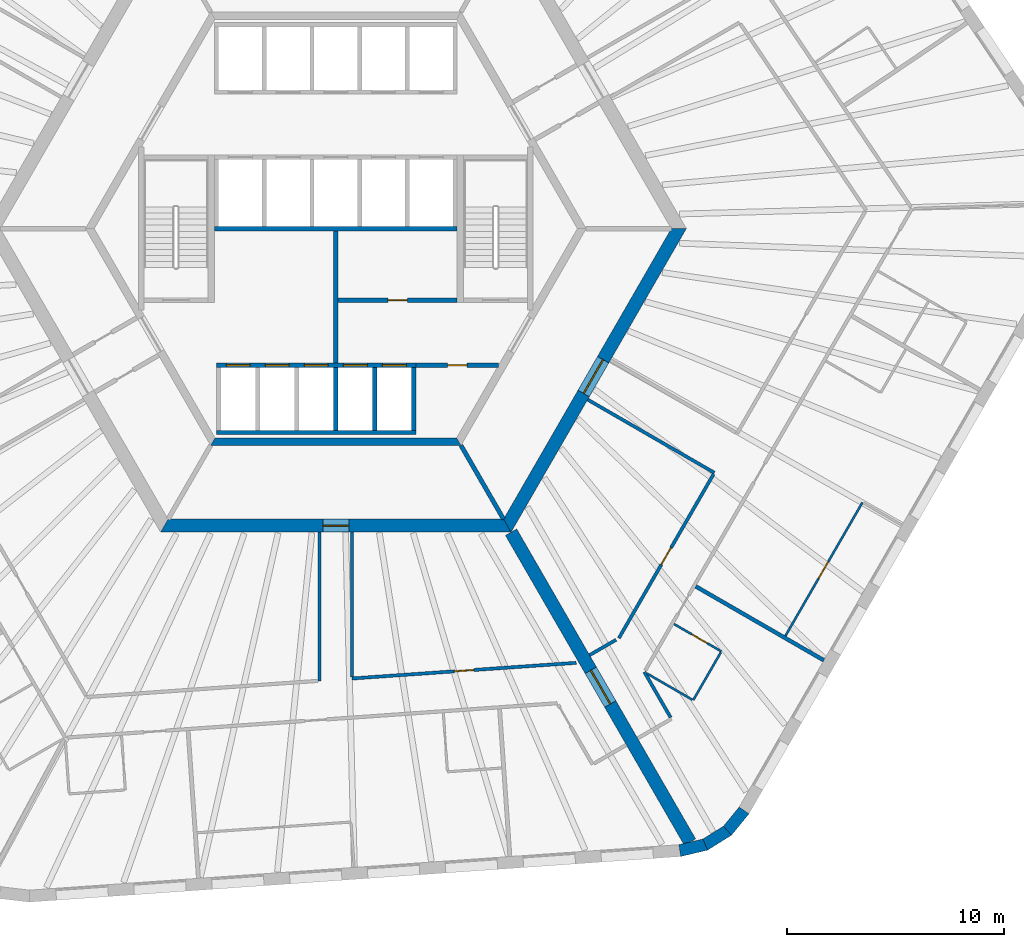
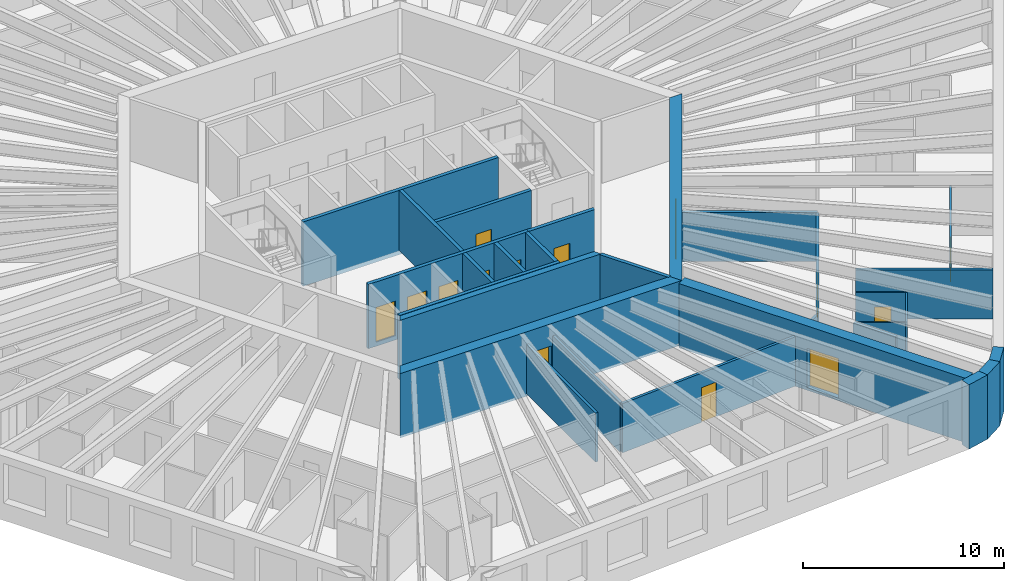
# One storey, part 5 of 12: 29 walls, 14 doors, 14 openings.
"""IFC4 building model written with IfcOpenShell, lengths in metres."""

from ifc_helpers import new_model, si_unit, direction, frame, frame_2d, origin, place, context, subcontext, project, spatial, polyline, rectangle, outline, extrude, material, layer, layer_set, type_object, element, fill, save


model = new_model("IFC4")

# Units and contexts
model_context = context("Model", 3, precision=1e-05, world=origin(), true_north=direction((0.0, 1.0)))
body_context = subcontext(model_context, "Body", "Model", "MODEL_VIEW")
ifc_project = project(units=[si_unit("LENGTHUNIT", "METRE"), si_unit("AREAUNIT", "SQUARE_METRE"), si_unit("VOLUMEUNIT", "CUBIC_METRE"), si_unit("PLANEANGLEUNIT", "RADIAN"), si_unit("MASSUNIT", "GRAM", prefix="KILO")], contexts=[model_context])

# Site, building, storey
site_placement = place(None, origin())
site = spatial("IfcSite", under=ifc_project, at=site_placement, CompositionType="ELEMENT")
building_placement = place(site_placement, origin())
building = spatial("IfcBuilding", under=site, at=building_placement, Name="Tarnside Tower", CompositionType="ELEMENT")
storey_placement = place(building_placement, frame((0.0, 0.0, 53.10009765625)))
storey = spatial("IfcBuildingStorey", under=building, at=storey_placement, Name="L10", CompositionType="ELEMENT", Elevation=53.10009765625)

# Wall, opening, door
ifc_material_1 = material(Name="Gypsum board partition on steel studs", Category="steel")
ifc_layer_1 = layer(ifc_material_1, 0.10009765625)
ifc_layer_set_1 = layer_set([ifc_layer_1], Name="Bathroom wall 100")
wall_type_1 = type_object("IfcWallType", Name="Bathroom wall 100", PredefinedType="PARTITIONING", material=ifc_layer_set_1)
wall_1_placement = place(storey_placement, frame((15.5966796875, -18.23583984375, 0.0), z_axis=(0.0, 0.0, 1.0), x_axis=(0.866039067339, -0.499976333282, 0.0)))
wall_1 = element("IfcWall", 1, at=wall_1_placement, inside=storey, type_object=wall_type_1, Name="Bathroom wall 02128", PredefinedType="PARTITIONING", context=body_context, shape_type="SweptSolid", body=[
    extrude(rectangle(XDim=2.52490234375, YDim=0.10009765625, at=frame_2d((1.262451171875, 0.0))), origin(), (0.0, 0.0, 1.0), 2.98779296875),
])
opening_1_placement = place(wall_1_placement, frame((0.955078125, 0.0, 0.0)))
opening_1 = element("IfcOpeningElement", 2, at=opening_1_placement, cuts=wall_1, Name="Opening D-B1", PredefinedType="OPENING", context=body_context, shape_type="SweptSolid", body=[
    extrude(rectangle(XDim=0.800048828125, YDim=2.10009765625, at=frame_2d((0.39990234375, 1.050048828125))), frame((0.0, 0.06005859375, 0.0), z_axis=(0.0, -1.0, 0.0), x_axis=(1.0, 0.0, 0.0)), (0.0, 0.0, 1.0), 0.1201171875),
])
ifc_material_2 = material(Name="Timber door leaf", Category="wood")
door_type_1 = type_object("IfcDoorType", Name="Bathroom door 800", OperationType="NOTDEFINED", PredefinedType="DOOR", material=ifc_material_2)
door_1_placement = place(opening_1_placement, origin())
door_1 = element("IfcDoor", 3, at=door_1_placement, inside=storey, type_object=door_type_1, Name="Bathroom door 02029", OperationType="SINGLE_SWING_LEFT", OverallHeight=2.10009765625, OverallWidth=0.800048828125, PredefinedType="DOOR", context=body_context, shape_type="SweptSolid", body=[
    extrude(rectangle(XDim=0.800048828125, YDim=2.10009765625, at=frame_2d((0.39990234375, 1.050048828125))), frame((0.0, 0.02490234375, 0.0), z_axis=(0.0, -1.0, 0.0), x_axis=(1.0, 0.0, 0.0)), (0.0, 0.0, 1.0), 0.050048828125),
])
fill(opening_1, door_1)

# Walls
wall_2_placement = place(storey_placement, frame((17.75830078125, -19.541748046875, 0.0), z_axis=(0.0, 0.0, 1.0), x_axis=(-0.499990435942, -0.866030925526, 0.0)))
element("IfcWall", 4, at=wall_2_placement, inside=storey, type_object=wall_type_1, Name="Bathroom wall 02129", PredefinedType="PARTITIONING", context=body_context, shape_type="SweptSolid", body=[
    extrude(rectangle(XDim=2.5498046875, YDim=0.10009765625, at=frame_2d((1.27490234375, 0.0))), origin(), (0.0, 0.0, 1.0), 2.98779296875),
])
wall_3_placement = place(storey_placement, frame((16.43994140625, -21.72509765625, 0.0), z_axis=(0.0, 0.0, 1.0), x_axis=(-0.865980596518, 0.500077600433, 0.0)))
element("IfcWall", 5, at=wall_3_placement, inside=storey, type_object=wall_type_1, Name="Bathroom wall 02130", PredefinedType="PARTITIONING", context=body_context, shape_type="SweptSolid", body=[
    extrude(rectangle(XDim=2.39990234375, YDim=0.10009765625, at=frame_2d((1.199951171875, 0.0))), origin(), (0.0, 0.0, 1.0), 2.98779296875),
])
ifc_material_3 = material(Name="Concrete C50/60", Category="concrete")
ifc_layer_2 = layer(ifc_material_3, 0.35009765625)
ifc_layer_set_2 = layer_set([ifc_layer_2], Name="Core block wall 350 C50/60")
wall_type_2 = type_object("IfcWallType", Name="Core block wall 350 C50/60", PredefinedType="SHEAR", material=ifc_layer_set_2)
wall_4_placement = place(storey_placement, frame((-5.672607421875, -9.824951171875, -0.150146484375), z_axis=(0.0, 0.0, 1.0), x_axis=(1.0, 0.0, 0.0)))
element("IfcWall", 6, at=wall_4_placement, inside=storey, type_object=wall_type_2, Name="L10 core block wall face 4", PredefinedType="SHEAR", context=body_context, shape_type="SweptSolid", body=[
    extrude(outline(polyline([(-0.10107421875, -0.175048828125), (11.4462890625, -0.175048828125), (11.244140625, 0.175048828125), (0.10107421875, 0.175048828125), (-0.10107421875, -0.175048828125)])), origin(), (0.0, 0.0, 1.0), 3.900146484375),
])

# Wall, opening, door
ifc_material_4 = material(Name="Concrete C40/50", Category="concrete")
ifc_layer_3 = layer(ifc_material_4, 0.199951171875)
ifc_layer_set_3 = layer_set([ifc_layer_3], Name="Core room partition 200 C40/50")
wall_type_3 = type_object("IfcWallType", Name="Core room partition 200 C40/50", PredefinedType="PARTITIONING", material=ifc_layer_set_3)
wall_5_placement = place(storey_placement, frame((0.10009765625, -3.300048828125, 0.0), z_axis=(0.0, 0.0, 1.0), x_axis=(1.0, 0.0, 0.0)))
wall_5 = element("IfcWall", 7, at=wall_5_placement, inside=storey, type_object=wall_type_3, Name="L10 core partition R3S1", PredefinedType="PARTITIONING", context=body_context, shape_type="SweptSolid", body=[
    extrude(rectangle(XDim=5.5, YDim=0.199951171875, at=frame_2d((2.75, 0.0))), origin(), (0.0, 0.0, 1.0), 3.64990234375),
])
opening_2_placement = place(wall_5_placement, frame((2.300048828125, 0.0, 0.0)))
opening_2 = element("IfcOpeningElement", 8, at=opening_2_placement, cuts=wall_5, Name="Opening CD-room", PredefinedType="OPENING", context=body_context, shape_type="SweptSolid", body=[
    extrude(rectangle(XDim=0.89990234375, YDim=2.10009765625, at=frame_2d((0.449951171875, 1.050048828125))), frame((0.0, 0.10986328125, 0.0), z_axis=(0.0, -1.0, 0.0), x_axis=(1.0, 0.0, 0.0)), (0.0, 0.0, 1.0), 0.219970703125),
])
ifc_material_5 = material(Name="Steel fire door", Category="steel")
door_type_2 = type_object("IfcDoorType", Name="Room door FD60 900x2100", OperationType="NOTDEFINED", PredefinedType="DOOR", material=ifc_material_5)
door_2_placement = place(opening_2_placement, origin())
door_2 = element("IfcDoor", 9, at=door_2_placement, inside=storey, type_object=door_type_2, Name="L10 core room door SR1", OperationType="SINGLE_SWING_LEFT", OverallHeight=2.10009765625, OverallWidth=0.89990234375, PredefinedType="DOOR", context=body_context, shape_type="SweptSolid", body=[
    extrude(rectangle(XDim=0.89990234375, YDim=2.10009765625, at=frame_2d((0.449951171875, 1.050048828125))), frame((0.0, 0.02490234375, 0.0), z_axis=(0.0, -1.0, 0.0), x_axis=(1.0, 0.0, 0.0)), (0.0, 0.0, 1.0), 0.050048828125),
])
fill(opening_2, door_2)

# Wall
wall_6_placement = place(storey_placement, frame((0.0, -6.199951171875, 0.0), z_axis=(0.0, 0.0, 1.0), x_axis=(0.0, 1.0, 0.0)))
element("IfcWall", 10, at=wall_6_placement, inside=storey, type_object=wall_type_3, Name="L10 core partition X0", PredefinedType="PARTITIONING", context=body_context, shape_type="SweptSolid", body=[
    extrude(rectangle(XDim=6.099853515625, YDim=0.199951171875, at=frame_2d((3.0498046875, 0.0))), origin(), (0.0, 0.0, 1.0), 3.64990234375),
])

# Wall, opening, door
wall_7_placement = place(storey_placement, frame((3.699951171875, -6.300048828125, 0.0), z_axis=(0.0, 0.0, 1.0), x_axis=(1.0, 0.0, 0.0)))
wall_7 = element("IfcWall", 11, at=wall_7_placement, inside=storey, type_object=wall_type_3, Name="L10 core partition R4X", PredefinedType="PARTITIONING", context=body_context, shape_type="SweptSolid", body=[
    extrude(rectangle(XDim=3.8056640625, YDim=0.199951171875, at=frame_2d((1.90283203125, 0.0))), origin(), (0.0, 0.0, 1.0), 3.64990234375),
])
opening_3_placement = place(wall_7_placement, frame((1.452880859375, 0.0, 0.0)))
opening_3 = element("IfcOpeningElement", 12, at=opening_3_placement, cuts=wall_7, Name="Opening CD-room", PredefinedType="OPENING", context=body_context, shape_type="SweptSolid", body=[
    extrude(rectangle(XDim=0.89990234375, YDim=2.10009765625, at=frame_2d((0.449951171875, 1.050048828125))), frame((0.0, 0.10986328125, 0.0), z_axis=(0.0, -1.0, 0.0), x_axis=(1.0, 0.0, 0.0)), (0.0, 0.0, 1.0), 0.219970703125),
])
door_3_placement = place(opening_3_placement, origin())
door_3 = element("IfcDoor", 13, at=door_3_placement, inside=storey, type_object=door_type_2, Name="L10 core room door RX", OperationType="SINGLE_SWING_LEFT", OverallHeight=2.10009765625, OverallWidth=0.89990234375, PredefinedType="DOOR", context=body_context, shape_type="SweptSolid", body=[
    extrude(rectangle(XDim=0.89990234375, YDim=2.10009765625, at=frame_2d((0.449951171875, 1.050048828125))), frame((0.0, 0.02490234375, 0.0), z_axis=(0.0, -1.0, 0.0), x_axis=(1.0, 0.0, 0.0)), (0.0, 0.0, 1.0), 0.050048828125),
])
fill(opening_3, door_3)

ifc_material_6 = material(Name="Concrete C80/95", Category="concrete")
ifc_layer_4 = layer(ifc_material_6, 0.60009765625)
ifc_layer_set_4 = layer_set([ifc_layer_4], Name="Core wall Z1 600 C80/95")
wall_type_4 = type_object("IfcWallType", Name="Core wall Z1 600 C80/95", PredefinedType="SHEAR", material=ifc_layer_set_4)
wall_8_placement = place(storey_placement, frame((-7.90966796875, -13.699951171875, -0.150146484375), z_axis=(0.0, 0.0, 1.0), x_axis=(1.0, 0.0, 0.0)))
wall_8 = element("IfcWall", 14, at=wall_8_placement, inside=storey, type_object=wall_type_4, Name="L10 core wall face 4", PredefinedType="SHEAR", context=body_context, shape_type="SweptSolid", body=[
    extrude(outline(polyline([(-0.17333984375, -0.300048828125), (15.99267578125, -0.300048828125), (15.64599609375, 0.300048828125), (0.17333984375, 0.300048828125), (-0.17333984375, -0.300048828125)])), origin(), (0.0, 0.0, 1.0), 3.900146484375),
])
opening_4_placement = place(wall_8_placement, frame((7.309814453125, 0.0, 0.14990234375)))
opening_4 = element("IfcOpeningElement", 15, at=opening_4_placement, cuts=wall_8, Name="Opening CD-RSR", PredefinedType="OPENING", context=body_context, shape_type="SweptSolid", body=[
    extrude(rectangle(XDim=1.199951171875, YDim=2.39990234375, at=frame_2d((0.60009765625, 1.199951171875))), frame((0.0, 0.31005859375, 0.0), z_axis=(0.0, -1.0, 0.0), x_axis=(1.0, 0.0, 0.0)), (0.0, 0.0, 1.0), 0.6201171875),
])
door_type_3 = type_object("IfcDoorType", Name="Riser door FD60 1200x2400", OperationType="NOTDEFINED", PredefinedType="DOOR", material=ifc_material_5)
door_4_placement = place(opening_4_placement, origin())
door_4 = element("IfcDoor", 16, at=door_4_placement, inside=storey, type_object=door_type_3, Name="L10 core door S6", OperationType="SINGLE_SWING_LEFT", OverallHeight=2.39990234375, OverallWidth=1.199951171875, PredefinedType="DOOR", context=body_context, shape_type="SweptSolid", body=[
    extrude(rectangle(XDim=1.199951171875, YDim=2.39990234375, at=frame_2d((0.60009765625, 1.199951171875))), frame((0.0, 0.02490234375, 0.0), z_axis=(0.0, -1.0, 0.0), x_axis=(1.0, 0.0, 0.0)), (0.0, 0.0, 1.0), 0.050048828125),
])
fill(opening_4, door_4)

wall_9_placement = place(storey_placement, frame((7.90966796875, -13.699951171875, -0.150146484375), z_axis=(0.0, 0.0, 1.0), x_axis=(0.499999880136, 0.866025472988, 0.0)))
wall_9 = element("IfcWall", 17, at=wall_9_placement, inside=storey, type_object=wall_type_4, Name="L10 core wall face 5", PredefinedType="SHEAR", context=body_context, shape_type="SweptSolid", body=[
    extrude(outline(polyline([(-0.17333984375, -0.300048828125), (15.99267578125, -0.300048828125), (15.64599609375, 0.300048828125), (0.17333984375, 0.300048828125), (-0.17333984375, -0.300048828125)])), origin(), (0.0, 0.0, 1.0), 3.900146484375),
])
opening_5_placement = place(wall_9_placement, frame((7.03857421875, 0.0, 0.14990234375)))
opening_5 = element("IfcOpeningElement", 18, at=opening_5_placement, cuts=wall_9, Name="Opening CD-FFL", PredefinedType="OPENING", context=body_context, shape_type="SweptSolid", body=[
    extrude(rectangle(XDim=1.800048828125, YDim=2.39990234375, at=frame_2d((0.89990234375, 1.199951171875))), frame((0.0, 0.31005859375, 0.0), z_axis=(0.0, -1.0, 0.0), x_axis=(1.0, 0.0, 0.0)), (0.0, 0.0, 1.0), 0.6201171875),
])
door_type_4 = type_object("IfcDoorType", Name="Firefighting lobby double door FD60S 1800x2400", OperationType="NOTDEFINED", PredefinedType="DOOR", material=ifc_material_5)
door_5_placement = place(opening_5_placement, origin())
door_5 = element("IfcDoor", 19, at=door_5_placement, inside=storey, type_object=door_type_4, Name="L10 core door P4", OperationType="DOUBLE_DOOR_SINGLE_SWING", OverallHeight=2.39990234375, OverallWidth=1.800048828125, PredefinedType="DOOR", context=body_context, shape_type="SweptSolid", body=[
    extrude(rectangle(XDim=1.800048828125, YDim=2.39990234375, at=frame_2d((0.89990234375, 1.199951171875))), frame((0.0, 0.02490234375, 0.0), z_axis=(0.0, -1.0, 0.0), x_axis=(1.0, 0.0, 0.0)), (0.0, 0.0, 1.0), 0.050048828125),
])
fill(opening_5, door_5)

wall_10_placement = place(storey_placement, frame((8.0830078125, -14.0, -0.150146484375), z_axis=(0.0, 0.0, 1.0), x_axis=(0.499997680643, -0.866026742862, 0.0)))
wall_10 = element("IfcWall", 20, at=wall_10_placement, inside=storey, type_object=wall_type_4, Name="L10 spine wall 3", PredefinedType="SHEAR", context=body_context, shape_type="SweptSolid", body=[
    extrude(rectangle(XDim=16.5087890625, YDim=0.60009765625, at=frame_2d((8.25439453125, 0.0))), origin(), (0.0, 0.0, 1.0), 3.900146484375),
])
opening_6_placement = place(wall_10_placement, frame((7.3544921875, 0.0, 0.14990234375)))
opening_6 = element("IfcOpeningElement", 21, at=opening_6_placement, cuts=wall_10, Name="Opening CD-SPN", PredefinedType="OPENING", context=body_context, shape_type="SweptSolid", body=[
    extrude(rectangle(XDim=1.800048828125, YDim=2.39990234375, at=frame_2d((0.89990234375, 1.199951171875))), frame((0.0, 0.31005859375, 0.0), z_axis=(0.0, -1.0, 0.0), x_axis=(1.0, 0.0, 0.0)), (0.0, 0.0, 1.0), 0.6201171875),
])
door_type_5 = type_object("IfcDoorType", Name="Spine passage double door FD60 1800x2400", OperationType="NOTDEFINED", PredefinedType="DOOR", material=ifc_material_5)
door_6_placement = place(opening_6_placement, origin())
door_6 = element("IfcDoor", 22, at=door_6_placement, inside=storey, type_object=door_type_5, Name="L10 spine passage door 3", OperationType="DOUBLE_DOOR_SINGLE_SWING", OverallHeight=2.39990234375, OverallWidth=1.800048828125, PredefinedType="DOOR", context=body_context, shape_type="SweptSolid", body=[
    extrude(rectangle(XDim=1.800048828125, YDim=2.39990234375, at=frame_2d((0.89990234375, 1.199951171875))), frame((0.0, 0.02490234375, 0.0), z_axis=(0.0, -1.0, 0.0), x_axis=(1.0, 0.0, 0.0)), (0.0, 0.0, 1.0), 0.050048828125),
])
fill(opening_6, door_6)

# Wall
ifc_layer_5 = layer(ifc_material_1, 0.14990234375)
ifc_layer_set_5 = layer_set([ifc_layer_5], Name="Corridor wall 150 EI 60")
wall_type_5 = type_object("IfcWallType", Name="Corridor wall 150 EI 60", PredefinedType="PARTITIONING", material=ifc_layer_set_5)
wall_11_placement = place(storey_placement, frame((-0.75, -14.0, 0.0), z_axis=(0.0, 0.0, 1.0), x_axis=(0.0, -1.0, 0.0)))
element("IfcWall", 23, at=wall_11_placement, inside=storey, type_object=wall_type_5, Name="Corridor wall 02042", PredefinedType="PARTITIONING", context=body_context, shape_type="SweptSolid", body=[
    extrude(rectangle(XDim=6.85302734375, YDim=0.14990234375, at=frame_2d((3.426513671875, 0.0))), origin(), (0.0, 0.0, 1.0), 2.98779296875),
])

# Wall, opening, door
wall_12_placement = place(storey_placement, frame((11.088134765625, -20.025390625, 0.0), z_axis=(0.0, 0.0, 1.0), x_axis=(-0.997564133621, -0.069755281607, 0.0)))
wall_12 = element("IfcWall", 24, at=wall_12_placement, inside=storey, type_object=wall_type_5, Name="Corridor wall 02046", PredefinedType="PARTITIONING", context=body_context, shape_type="SweptSolid", body=[
    extrude(rectangle(XDim=10.36328125, YDim=0.14990234375, at=frame_2d((5.181640625, 0.0))), origin(), (0.0, 0.0, 1.0), 2.98779296875),
])
opening_7_placement = place(wall_12_placement, frame((4.731689453125, 0.0, 0.0)))
opening_7 = element("IfcOpeningElement", 25, at=opening_7_placement, cuts=wall_12, Name="Opening D-S1", PredefinedType="OPENING", context=body_context, shape_type="SweptSolid", body=[
    extrude(rectangle(XDim=0.89990234375, YDim=2.10009765625, at=frame_2d((0.449951171875, 1.050048828125))), frame((0.0, 0.0849609375, 0.0), z_axis=(0.0, -1.0, 0.0), x_axis=(1.0, 0.0, 0.0)), (0.0, 0.0, 1.0), 0.169921875),
])
door_type_6 = type_object("IfcDoorType", Name="Service room door 900 FD30S", OperationType="NOTDEFINED", PredefinedType="DOOR", material=ifc_material_2)
door_7_placement = place(opening_7_placement, origin())
door_7 = element("IfcDoor", 26, at=door_7_placement, inside=storey, type_object=door_type_6, Name="Service door 02046", OperationType="SINGLE_SWING_LEFT", OverallHeight=2.10009765625, OverallWidth=0.89990234375, PredefinedType="DOOR", context=body_context, shape_type="SweptSolid", body=[
    extrude(rectangle(XDim=0.89990234375, YDim=2.10009765625, at=frame_2d((0.449951171875, 1.050048828125))), frame((0.0, 0.02490234375, 0.0), z_axis=(0.0, -1.0, 0.0), x_axis=(1.0, 0.0, 0.0)), (0.0, 0.0, 1.0), 0.050048828125),
])
fill(opening_7, door_7)

# Walls
wall_13_placement = place(storey_placement, frame((0.75, -20.673095703125, 0.0), z_axis=(0.0, 0.0, 1.0), x_axis=(0.0, 1.0, 0.0)))
element("IfcWall", 27, at=wall_13_placement, inside=storey, type_object=wall_type_5, Name="Corridor wall 02047", PredefinedType="PARTITIONING", context=body_context, shape_type="SweptSolid", body=[
    extrude(rectangle(XDim=6.673095703125, YDim=0.14990234375, at=frame_2d((3.33642578125, 0.0))), origin(), (0.0, 0.0, 1.0), 2.98779296875),
])
wall_14_placement = place(storey_placement, frame((15.44140625, -22.545166015625, 0.0), z_axis=(0.0, 0.0, 1.0), x_axis=(-0.500013622142, 0.866017538894, 0.0)))
element("IfcWall", 28, at=wall_14_placement, inside=storey, type_object=wall_type_5, Name="Corridor wall 02049", PredefinedType="PARTITIONING", context=body_context, shape_type="SweptSolid", body=[
    extrude(rectangle(XDim=2.41943359375, YDim=0.14990234375, at=frame_2d((1.209716796875, 0.0))), origin(), (0.0, 0.0, 1.0), 2.98779296875),
])
wall_15_placement = place(storey_placement, frame((11.61376953125, -7.88427734375, 0.0), z_axis=(0.0, 0.0, 1.0), x_axis=(0.866026575979, -0.499997969693, 0.0)))
element("IfcWall", 29, at=wall_15_placement, inside=storey, type_object=wall_type_5, Name="Corridor wall 02067", PredefinedType="PARTITIONING", context=body_context, shape_type="SweptSolid", body=[
    extrude(rectangle(XDim=6.75, YDim=0.14990234375, at=frame_2d((3.375, 0.0))), origin(), (0.0, 0.0, 1.0), 2.98779296875),
])

# Wall, opening, door
wall_16_placement = place(storey_placement, frame((17.421875, -11.32421875, 0.0), z_axis=(0.0, 0.0, 1.0), x_axis=(-0.499994979726, -0.866028302222, 0.0)))
wall_16 = element("IfcWall", 30, at=wall_16_placement, inside=storey, type_object=wall_type_5, Name="Corridor wall 02068", PredefinedType="PARTITIONING", context=body_context, shape_type="SweptSolid", body=[
    extrude(rectangle(XDim=8.73681640625, YDim=0.14990234375, at=frame_2d((4.368408203125, 0.0))), origin(), (0.0, 0.0, 1.0), 2.98779296875),
])
opening_8_placement = place(wall_16_placement, frame((3.91845703125, 0.0, 0.0)))
opening_8 = element("IfcOpeningElement", 31, at=opening_8_placement, cuts=wall_16, Name="Opening D-S1", PredefinedType="OPENING", context=body_context, shape_type="SweptSolid", body=[
    extrude(rectangle(XDim=0.89990234375, YDim=2.10009765625, at=frame_2d((0.449951171875, 1.050048828125))), frame((0.0, 0.0849609375, 0.0), z_axis=(0.0, -1.0, 0.0), x_axis=(1.0, 0.0, 0.0)), (0.0, 0.0, 1.0), 0.169921875),
])
door_8_placement = place(opening_8_placement, origin())
door_8 = element("IfcDoor", 32, at=door_8_placement, inside=storey, type_object=door_type_6, Name="Service door 02048", OperationType="SINGLE_SWING_LEFT", OverallHeight=2.10009765625, OverallWidth=0.89990234375, PredefinedType="DOOR", context=body_context, shape_type="SweptSolid", body=[
    extrude(rectangle(XDim=0.89990234375, YDim=2.10009765625, at=frame_2d((0.449951171875, 1.050048828125))), frame((0.0, 0.02490234375, 0.0), z_axis=(0.0, -1.0, 0.0), x_axis=(1.0, 0.0, 0.0)), (0.0, 0.0, 1.0), 0.050048828125),
])
fill(opening_8, door_8)

# Walls
wall_17_placement = place(storey_placement, frame((12.923583984375, -18.965576171875, 0.0), z_axis=(0.0, 0.0, 1.0), x_axis=(-0.866038455972, -0.499977392266, 0.0)))
element("IfcWall", 33, at=wall_17_placement, inside=storey, type_object=wall_type_5, Name="Corridor wall 02069", PredefinedType="PARTITIONING", context=body_context, shape_type="SweptSolid", body=[
    extrude(rectangle(XDim=1.4091796875, YDim=0.14990234375, at=frame_2d((0.70458984375, 0.0))), origin(), (0.0, 0.0, 1.0), 2.98779296875),
])
ifc_layer_6 = layer(ifc_material_1, 0.179931640625)
ifc_layer_set_6 = layer_set([ifc_layer_6], Name="Demising wall 180 EI 60")
wall_type_6 = type_object("IfcWallType", Name="Demising wall 180 EI 60", PredefinedType="PARTITIONING", material=ifc_layer_set_6)
wall_18_placement = place(storey_placement, frame((22.510009765625, -19.91162109375, 0.0), z_axis=(0.0, 0.0, 1.0), x_axis=(-0.866019982719, 0.500009389444, 0.0)))
element("IfcWall", 34, at=wall_18_placement, inside=storey, type_object=wall_type_6, Name="Demising wall 02131", PredefinedType="PARTITIONING", context=body_context, shape_type="SweptSolid", body=[
    extrude(rectangle(XDim=6.824951171875, YDim=0.179931640625, at=frame_2d((3.41259765625, 0.0))), origin(), (0.0, 0.0, 1.0), 2.98779296875),
])
ifc_layer_7 = layer(ifc_material_4, 0.199951171875)
ifc_layer_set_7 = layer_set([ifc_layer_7], Name="Lift shaft wall 200 C40/50")
wall_type_7 = type_object("IfcWallType", Name="Lift shaft wall 200 C40/50", PredefinedType="SHEAR", material=ifc_layer_set_7)
wall_19_placement = place(storey_placement, frame((-5.60009765625, 0.0, -0.25), z_axis=(0.0, 0.0, 1.0), x_axis=(1.0, 0.0, 0.0)))
element("IfcWall", 35, at=wall_19_placement, inside=storey, type_object=wall_type_7, Name="L10 lift shaft back wall R2", PredefinedType="SHEAR", context=body_context, shape_type="SweptSolid", body=[
    extrude(rectangle(XDim=11.2001953125, YDim=0.199951171875, at=frame_2d((5.60009765625, 0.0))), origin(), (0.0, 0.0, 1.0), 3.89990234375),
])

# Wall, openings, doors
wall_20_placement = place(storey_placement, frame((-5.5, -6.300048828125, -0.25), z_axis=(0.0, 0.0, 1.0), x_axis=(1.0, 0.0, 0.0)))
wall_20 = element("IfcWall", 36, at=wall_20_placement, inside=storey, type_object=wall_type_7, Name="L10 lift shaft front wall R4", PredefinedType="SHEAR", context=body_context, shape_type="SweptSolid", body=[
    extrude(rectangle(XDim=9.199951171875, YDim=0.199951171875, at=frame_2d((4.60009765625, 0.0))), origin(), (0.0, 0.0, 1.0), 3.89990234375),
])
opening_9_placement = place(wall_20_placement, frame((0.449951171875, 0.0, 0.25)))
opening_9 = element("IfcOpeningElement", 37, at=opening_9_placement, cuts=wall_20, Name="Opening LDF", PredefinedType="OPENING", context=body_context, shape_type="SweptSolid", body=[
    extrude(rectangle(XDim=1.10009765625, YDim=2.10009765625, at=frame_2d((0.550048828125, 1.050048828125))), frame((0.0, 0.10986328125, 0.0), z_axis=(0.0, -1.0, 0.0), x_axis=(1.0, 0.0, 0.0)), (0.0, 0.0, 1.0), 0.219970703125),
])
opening_10_placement = place(wall_20_placement, frame((2.25, 0.0, 0.25)))
opening_10 = element("IfcOpeningElement", 38, at=opening_10_placement, cuts=wall_20, Name="Opening LDF", PredefinedType="OPENING", context=body_context, shape_type="SweptSolid", body=[
    extrude(rectangle(XDim=1.10009765625, YDim=2.10009765625, at=frame_2d((0.550048828125, 1.050048828125))), frame((0.0, 0.10986328125, 0.0), z_axis=(0.0, -1.0, 0.0), x_axis=(1.0, 0.0, 0.0)), (0.0, 0.0, 1.0), 0.219970703125),
])
opening_11_placement = place(wall_20_placement, frame((4.050048828125, 0.0, 0.25)))
opening_11 = element("IfcOpeningElement", 39, at=opening_11_placement, cuts=wall_20, Name="Opening LDF", PredefinedType="OPENING", context=body_context, shape_type="SweptSolid", body=[
    extrude(rectangle(XDim=1.10009765625, YDim=2.10009765625, at=frame_2d((0.550048828125, 1.050048828125))), frame((0.0, 0.10986328125, 0.0), z_axis=(0.0, -1.0, 0.0), x_axis=(1.0, 0.0, 0.0)), (0.0, 0.0, 1.0), 0.219970703125),
])
opening_12_placement = place(wall_20_placement, frame((5.85009765625, 0.0, 0.25)))
opening_12 = element("IfcOpeningElement", 40, at=opening_12_placement, cuts=wall_20, Name="Opening LDF", PredefinedType="OPENING", context=body_context, shape_type="SweptSolid", body=[
    extrude(rectangle(XDim=1.10009765625, YDim=2.10009765625, at=frame_2d((0.550048828125, 1.050048828125))), frame((0.0, 0.10986328125, 0.0), z_axis=(0.0, -1.0, 0.0), x_axis=(1.0, 0.0, 0.0)), (0.0, 0.0, 1.0), 0.219970703125),
])
opening_13_placement = place(wall_20_placement, frame((7.64990234375, 0.0, 0.25)))
opening_13 = element("IfcOpeningElement", 41, at=opening_13_placement, cuts=wall_20, Name="Opening LDF", PredefinedType="OPENING", context=body_context, shape_type="SweptSolid", body=[
    extrude(rectangle(XDim=1.10009765625, YDim=2.10009765625, at=frame_2d((0.550048828125, 1.050048828125))), frame((0.0, 0.10986328125, 0.0), z_axis=(0.0, -1.0, 0.0), x_axis=(1.0, 0.0, 0.0)), (0.0, 0.0, 1.0), 0.219970703125),
])
ifc_material_7 = material(Name="Stainless steel", Category="steel")
door_type_7 = type_object("IfcDoorType", Name="Lift landing door 1100x2100 EI 120", OperationType="NOTDEFINED", PredefinedType="DOOR", material=ifc_material_7)
door_9_placement = place(opening_9_placement, origin())
door_9 = element("IfcDoor", 42, at=door_9_placement, inside=storey, type_object=door_type_7, Name="Firefighting lift 1 landing door L10", OperationType="SLIDING_TO_LEFT", OverallHeight=2.10009765625, OverallWidth=1.10009765625, PredefinedType="DOOR", context=body_context, shape_type="SweptSolid", body=[
    extrude(rectangle(XDim=1.10009765625, YDim=2.10009765625, at=frame_2d((0.550048828125, 1.050048828125))), frame((0.0, 0.02490234375, 0.0), z_axis=(0.0, -1.0, 0.0), x_axis=(1.0, 0.0, 0.0)), (0.0, 0.0, 1.0), 0.050048828125),
])
fill(opening_9, door_9)
door_10_placement = place(opening_10_placement, origin())
door_10 = element("IfcDoor", 43, at=door_10_placement, inside=storey, type_object=door_type_7, Name="Firefighting lift 2 landing door L10", OperationType="SLIDING_TO_LEFT", OverallHeight=2.10009765625, OverallWidth=1.10009765625, PredefinedType="DOOR", context=body_context, shape_type="SweptSolid", body=[
    extrude(rectangle(XDim=1.10009765625, YDim=2.10009765625, at=frame_2d((0.550048828125, 1.050048828125))), frame((0.0, 0.02490234375, 0.0), z_axis=(0.0, -1.0, 0.0), x_axis=(1.0, 0.0, 0.0)), (0.0, 0.0, 1.0), 0.050048828125),
])
fill(opening_10, door_10)
door_11_placement = place(opening_11_placement, origin())
door_11 = element("IfcDoor", 44, at=door_11_placement, inside=storey, type_object=door_type_7, Name="Firefighting lift 3 landing door L10", OperationType="SLIDING_TO_LEFT", OverallHeight=2.10009765625, OverallWidth=1.10009765625, PredefinedType="DOOR", context=body_context, shape_type="SweptSolid", body=[
    extrude(rectangle(XDim=1.10009765625, YDim=2.10009765625, at=frame_2d((0.550048828125, 1.050048828125))), frame((0.0, 0.02490234375, 0.0), z_axis=(0.0, -1.0, 0.0), x_axis=(1.0, 0.0, 0.0)), (0.0, 0.0, 1.0), 0.050048828125),
])
fill(opening_11, door_11)
door_12_placement = place(opening_12_placement, origin())
door_12 = element("IfcDoor", 45, at=door_12_placement, inside=storey, type_object=door_type_7, Name="Firefighting lift 4 landing door L10", OperationType="SLIDING_TO_LEFT", OverallHeight=2.10009765625, OverallWidth=1.10009765625, PredefinedType="DOOR", context=body_context, shape_type="SweptSolid", body=[
    extrude(rectangle(XDim=1.10009765625, YDim=2.10009765625, at=frame_2d((0.550048828125, 1.050048828125))), frame((0.0, 0.02490234375, 0.0), z_axis=(0.0, -1.0, 0.0), x_axis=(1.0, 0.0, 0.0)), (0.0, 0.0, 1.0), 0.050048828125),
])
fill(opening_12, door_12)
door_13_placement = place(opening_13_placement, origin())
door_13 = element("IfcDoor", 46, at=door_13_placement, inside=storey, type_object=door_type_7, Name="Firefighting lift 5 landing door L10", OperationType="SLIDING_TO_LEFT", OverallHeight=2.10009765625, OverallWidth=1.10009765625, PredefinedType="DOOR", context=body_context, shape_type="SweptSolid", body=[
    extrude(rectangle(XDim=1.10009765625, YDim=2.10009765625, at=frame_2d((0.550048828125, 1.050048828125))), frame((0.0, 0.02490234375, 0.0), z_axis=(0.0, -1.0, 0.0), x_axis=(1.0, 0.0, 0.0)), (0.0, 0.0, 1.0), 0.050048828125),
])
fill(opening_13, door_13)

# Walls
wall_21_placement = place(storey_placement, frame((-5.5, -9.39990234375, -0.25), z_axis=(0.0, 0.0, 1.0), x_axis=(1.0, 0.0, 0.0)))
element("IfcWall", 47, at=wall_21_placement, inside=storey, type_object=wall_type_7, Name="L10 lift shaft back wall R4", PredefinedType="SHEAR", context=body_context, shape_type="SweptSolid", body=[
    extrude(rectangle(XDim=9.199951171875, YDim=0.199951171875, at=frame_2d((4.60009765625, 0.0))), origin(), (0.0, 0.0, 1.0), 3.89990234375),
])
for number, where, z_axis, x_axis, name in (
    (48, (0.0, -9.300048828125, -0.25), (0.0, 0.0, 1.0), (0.0, 1.0, 0.0), "L10 lift shaft partition R44"),
    (49, (1.800048828125, -9.300048828125, -0.25), (0.0, 0.0, 1.0), (0.0, 1.0, 0.0), "L10 lift shaft partition R45"),
    (50, (3.60009765625, -9.300048828125, -0.25), (0.0, 0.0, 1.0), (0.0, 1.0, 0.0), "L10 lift shaft partition R46"),
):
    element("IfcWall", number, at=place(storey_placement, frame(where, z_axis=z_axis, x_axis=x_axis)), inside=storey, type_object=wall_type_7, Name=name, PredefinedType="SHEAR", context=body_context, shape_type="SweptSolid", body=[
        extrude(rectangle(XDim=2.900146484375, YDim=0.199951171875, at=frame_2d((1.4501953125, 0.0))), origin(), (0.0, 0.0, 1.0), 3.89990234375),
    ])
wall_22_placement = place(storey_placement, frame((5.7734375, -10.0, -0.150146484375), z_axis=(0.0, 0.0, 1.0), x_axis=(0.500038251005, -0.86600331843, 0.0)))
element("IfcWall", 51, at=wall_22_placement, inside=storey, type_object=wall_type_7, Name="L10 core partition AR300", PredefinedType="SHEAR", context=body_context, shape_type="SweptSolid", body=[
    extrude(rectangle(XDim=3.926025390625, YDim=0.199951171875, at=frame_2d((1.962890625, 0.0))), origin(), (0.0, 0.0, 1.0), 3.900146484375),
])

# Wall, opening, door
ifc_layer_8 = layer(ifc_material_1, 0.10009765625)
ifc_layer_set_8 = layer_set([ifc_layer_8], Name="Partition 100")
wall_type_8 = type_object("IfcWallType", Name="Partition 100", PredefinedType="PARTITIONING", material=ifc_layer_set_8)
wall_23_placement = place(storey_placement, frame((20.736328125, -18.78369140625, 0.0), z_axis=(0.0, 0.0, 1.0), x_axis=(0.499990956993, 0.866030624704, 0.0)))
wall_23 = element("IfcWall", 52, at=wall_23_placement, inside=storey, type_object=wall_type_8, Name="Partition wall 02135", PredefinedType="PARTITIONING", context=body_context, shape_type="SweptSolid", body=[
    extrude(rectangle(XDim=7.110107421875, YDim=0.10009765625, at=frame_2d((3.55517578125, 0.0))), origin(), (0.0, 0.0, 1.0), 2.98779296875),
])
opening_14_placement = place(wall_23_placement, frame((3.06005859375, 0.0, 0.0)))
opening_14 = element("IfcOpeningElement", 53, at=opening_14_placement, cuts=wall_23, Name="Opening D-I1", PredefinedType="OPENING", context=body_context, shape_type="SweptSolid", body=[
    extrude(rectangle(XDim=0.89990234375, YDim=2.10009765625, at=frame_2d((0.449951171875, 1.050048828125))), frame((0.0, 0.06005859375, 0.0), z_axis=(0.0, -1.0, 0.0), x_axis=(1.0, 0.0, 0.0)), (0.0, 0.0, 1.0), 0.1201171875),
])
door_type_8 = type_object("IfcDoorType", Name="Internal door 900", OperationType="NOTDEFINED", PredefinedType="DOOR", material=ifc_material_2)
door_14_placement = place(opening_14_placement, origin())
door_14 = element("IfcDoor", 54, at=door_14_placement, inside=storey, type_object=door_type_8, Name="Internal door 02032", OperationType="SINGLE_SWING_RIGHT", OverallHeight=2.10009765625, OverallWidth=0.89990234375, PredefinedType="DOOR", context=body_context, shape_type="SweptSolid", body=[
    extrude(rectangle(XDim=0.89990234375, YDim=2.10009765625, at=frame_2d((0.449951171875, 1.050048828125))), frame((0.0, 0.02490234375, 0.0), z_axis=(0.0, -1.0, 0.0), x_axis=(1.0, 0.0, 0.0)), (0.0, 0.0, 1.0), 0.050048828125),
])
fill(opening_14, door_14)

# Walls
ifc_material_8 = material(Name="Facing brick", Category="masonry")
ifc_layer_9 = layer(ifc_material_8, 0.10205078125)
ifc_material_9 = material(Name="Concrete C60/75 precast", Category="concrete")
ifc_layer_10 = layer(ifc_material_9, 0.347900390625)
ifc_material_10 = material(Name="Mineral wool insulation")
ifc_layer_11 = layer(ifc_material_10, 0.10009765625)
ifc_layer_set_9 = layer_set([ifc_layer_9, ifc_layer_10, ifc_layer_11], Name="Tube wall 550 brick faced")
wall_type_9 = type_object("IfcWallType", Name="Tube wall 550 brick faced", PredefinedType="SOLIDWALL", material=ifc_layer_set_9)
wall_24_placement = place(storey_placement, frame((15.8642578125, -28.688232421875, -0.150146484375), z_axis=(0.0, 0.0, 1.0), x_axis=(0.973063591128, 0.230536868247, 0.0)))
element("IfcWall", 55, at=wall_24_placement, inside=storey, type_object=wall_type_9, Name="Tube wall L10 F4 chord 13", PredefinedType="SOLIDWALL", context=body_context, shape_type="SweptSolid", body=[
    extrude(outline(polyline([(-0.0224609375, -0.27490234375), (1.25341796875, -0.27490234375), (1.1630859375, 0.27490234375), (0.0224609375, 0.27490234375), (-0.0224609375, -0.27490234375)])), origin(), (0.0, 0.0, 1.0), 3.900146484375),
])
wall_25_placement = place(storey_placement, frame((17.0400390625, -28.40966796875, -0.150146484375), z_axis=(0.0, 0.0, 1.0), x_axis=(0.847952888306, 0.530071598195, 0.0)))
element("IfcWall", 56, at=wall_25_placement, inside=storey, type_object=wall_type_9, Name="Tube wall L10 F4 chord 14", PredefinedType="SOLIDWALL", context=body_context, shape_type="SweptSolid", body=[
    extrude(outline(polyline([(-0.045166015625, -0.27490234375), (1.253173828125, -0.27490234375), (1.162841796875, 0.27490234375), (0.045166015625, 0.27490234375), (-0.045166015625, -0.27490234375)])), origin(), (0.0, 0.0, 1.0), 3.900146484375),
])
wall_26_placement = place(storey_placement, frame((18.064453125, -27.769287109375, -0.150146484375), z_axis=(0.0, 0.0, 1.0), x_axis=(0.633842757806, 0.773461930787, 0.0)))
element("IfcWall", 57, at=wall_26_placement, inside=storey, type_object=wall_type_9, Name="Tube wall L10 F4 chord 15", PredefinedType="SOLIDWALL", context=body_context, shape_type="SweptSolid", body=[
    extrude(outline(polyline([(-0.045166015625, -0.27490234375), (1.230712890625, -0.27490234375), (1.185791015625, 0.27490234375), (0.045166015625, 0.27490234375), (-0.045166015625, -0.27490234375)])), origin(), (0.0, 0.0, 1.0), 3.900146484375),
])

save(model, "model.ifc")
